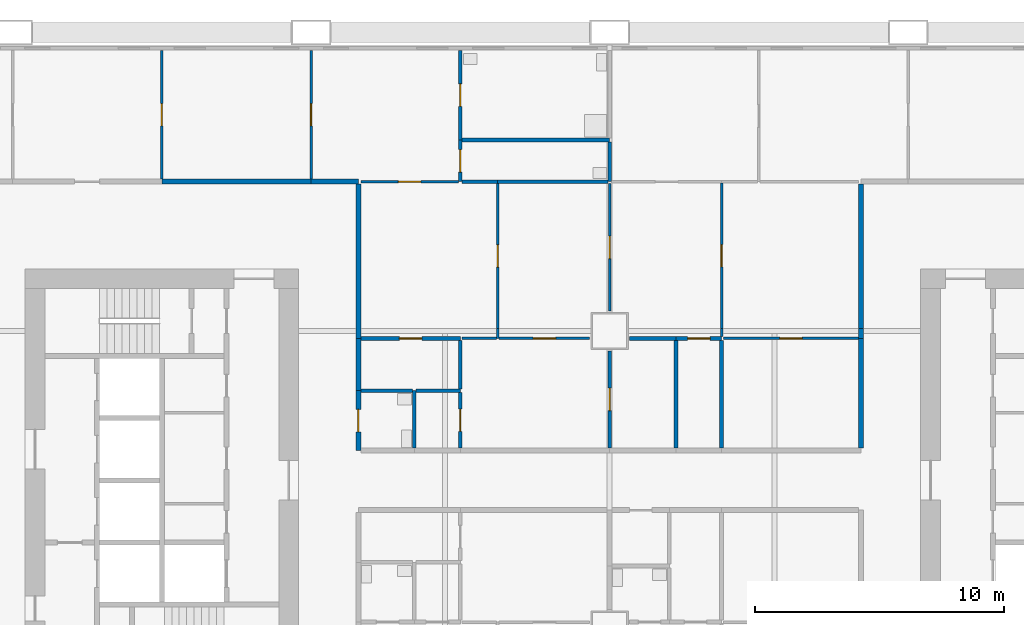
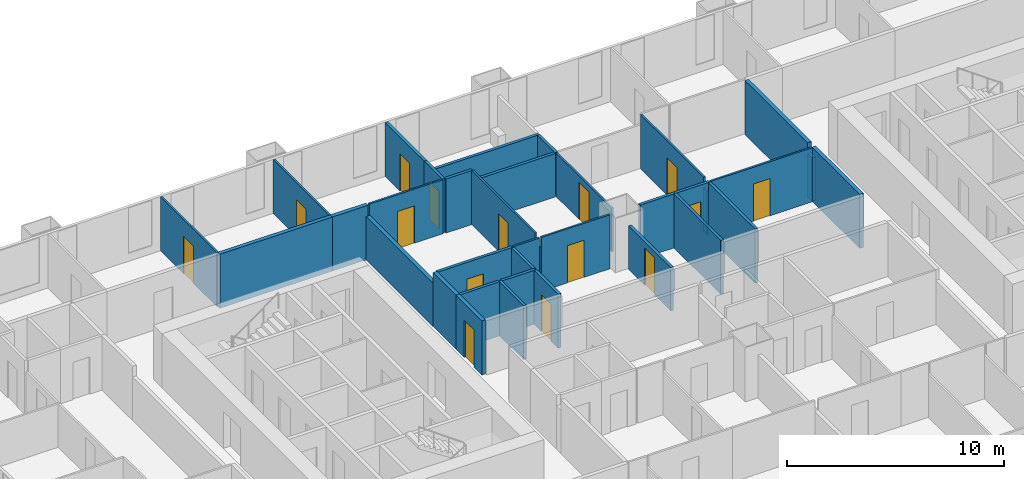
# One storey, part 9 of 14: 36 walls, 15 doors, 15 openings.
"""IFC4 building model written with IfcOpenShell, lengths in metres."""

from ifc_helpers import new_model, si_unit, direction, frame, frame_2d, origin, place, context, subcontext, project, spatial, rectangle, extrude, material, layer, layer_set, type_object, element, fill, save


model = new_model("IFC4")

# Units and contexts
model_context = context("Model", 3, precision=1e-05, world=origin(), true_north=direction((0.0, 1.0)))
body_context = subcontext(model_context, "Body", "Model", "MODEL_VIEW")
ifc_project = project(units=[si_unit("LENGTHUNIT", "METRE"), si_unit("AREAUNIT", "SQUARE_METRE"), si_unit("VOLUMEUNIT", "CUBIC_METRE"), si_unit("PLANEANGLEUNIT", "RADIAN"), si_unit("MASSUNIT", "GRAM", prefix="KILO")], contexts=[model_context])

# Site, building, storey
site_placement = place(None, origin())
site = spatial("IfcSite", under=ifc_project, at=site_placement, CompositionType="ELEMENT")
building_placement = place(site_placement, origin())
building = spatial("IfcBuilding", under=site, at=building_placement, Name="Kitamizu Gate Tower and Museum", CompositionType="ELEMENT")
storey_placement = place(building_placement, frame((0.0, 0.0, 64.5)))
storey = spatial("IfcBuildingStorey", under=building, at=storey_placement, Name="L15", CompositionType="ELEMENT", Elevation=64.5)

# Wall, opening, door
ifc_material_1 = material(Name="Gypsum board on galvanised stud")
ifc_layer_1 = layer(ifc_material_1, 0.10009765625)
ifc_layer_set_1 = layer_set([ifc_layer_1], Name="Gypsum board on galvanised stud")
wall_type_1 = type_object("IfcWallType", Name="Partition 100 NOT RATED", PredefinedType="PARTITIONING", material=ifc_layer_set_1)
wall_1_placement = place(storey_placement, frame((18.0, 42.10009765625, 0.0), z_axis=(0.0, 0.0, 1.0), x_axis=(0.0, 1.0, 0.0)))
wall_1 = element("IfcWall", 1, at=wall_1_placement, inside=storey, type_object=wall_type_1, Name="Partition L15-153", PredefinedType="PARTITIONING", context=body_context, shape_type="SweptSolid", body=[
    extrude(rectangle(XDim=5.179931640625, YDim=0.10009765625, at=frame_2d((2.58984375, 0.0))), origin(), (0.0, 0.0, 1.0), 3.050048828125),
])
opening_1_placement = place(wall_1_placement, frame((2.139892578125, 0.0, 0.0)))
opening_1 = element("IfcOpeningElement", 2, at=opening_1_placement, cuts=wall_1, Name="Opening L15-058", PredefinedType="OPENING", context=body_context, shape_type="SweptSolid", body=[
    extrude(rectangle(XDim=0.89990234375, YDim=2.10009765625, at=frame_2d((0.449951171875, 1.050048828125))), frame((0.0, 0.06005859375, 0.0), z_axis=(0.0, -1.0, 0.0), x_axis=(1.0, 0.0, 0.0)), (0.0, 0.0, 1.0), 0.1201171875),
])
ifc_material_2 = material(Name="Timber door set", Category="wood")
door_type_1 = type_object("IfcDoorType", Name="Room door 900", OperationType="NOTDEFINED", PredefinedType="DOOR", material=ifc_material_2)
door_1_placement = place(opening_1_placement, frame((0.89990234375, 0.0, 0.0), x_axis=(-1.0, 0.0, 0.0)))
door_1 = element("IfcDoor", 3, at=door_1_placement, inside=storey, type_object=door_type_1, Name="Door L15-058", OperationType="SINGLE_SWING_LEFT", OverallHeight=2.10009765625, OverallWidth=0.89990234375, PredefinedType="DOOR", context=body_context, shape_type="SweptSolid", body=[
    extrude(rectangle(XDim=0.89990234375, YDim=2.10009765625, at=frame_2d((0.449951171875, 1.050048828125))), frame((0.0, 0.02490234375, 0.0), z_axis=(0.0, -1.0, 0.0), x_axis=(1.0, 0.0, 0.0)), (0.0, 0.0, 1.0), 0.050048828125),
])
fill(opening_1, door_1)

wall_2_placement = place(storey_placement, frame((24.0, 42.10009765625, 0.0), z_axis=(0.0, 0.0, 1.0), x_axis=(0.0, 1.0, 0.0)))
wall_2 = element("IfcWall", 4, at=wall_2_placement, inside=storey, type_object=wall_type_1, Name="Partition L15-155", PredefinedType="PARTITIONING", context=body_context, shape_type="SweptSolid", body=[
    extrude(rectangle(XDim=5.179931640625, YDim=0.10009765625, at=frame_2d((2.58984375, 0.0))), origin(), (0.0, 0.0, 1.0), 3.050048828125),
])
opening_2_placement = place(wall_2_placement, frame((2.139892578125, 0.0, 0.0)))
opening_2 = element("IfcOpeningElement", 5, at=opening_2_placement, cuts=wall_2, Name="Opening L15-059", PredefinedType="OPENING", context=body_context, shape_type="SweptSolid", body=[
    extrude(rectangle(XDim=0.89990234375, YDim=2.10009765625, at=frame_2d((0.449951171875, 1.050048828125))), frame((0.0, 0.06005859375, 0.0), z_axis=(0.0, -1.0, 0.0), x_axis=(1.0, 0.0, 0.0)), (0.0, 0.0, 1.0), 0.1201171875),
])
door_2_placement = place(opening_2_placement, origin())
door_2 = element("IfcDoor", 6, at=door_2_placement, inside=storey, type_object=door_type_1, Name="Door L15-059", OperationType="SINGLE_SWING_LEFT", OverallHeight=2.10009765625, OverallWidth=0.89990234375, PredefinedType="DOOR", context=body_context, shape_type="SweptSolid", body=[
    extrude(rectangle(XDim=0.89990234375, YDim=2.10009765625, at=frame_2d((0.449951171875, 1.050048828125))), frame((0.0, 0.02490234375, 0.0), z_axis=(0.0, -1.0, 0.0), x_axis=(1.0, 0.0, 0.0)), (0.0, 0.0, 1.0), 0.050048828125),
])
fill(opening_2, door_2)

wall_3_placement = place(storey_placement, frame((26.0, 42.0, 0.0), z_axis=(0.0, 0.0, 1.0), x_axis=(1.0, 0.0, 0.0)))
wall_3 = element("IfcWall", 7, at=wall_3_placement, inside=storey, type_object=wall_type_1, Name="Partition L15-159", PredefinedType="PARTITIONING", context=body_context, shape_type="SweptSolid", body=[
    extrude(rectangle(XDim=3.925048828125, YDim=0.10009765625, at=frame_2d((1.96240234375, 0.0))), origin(), (0.0, 0.0, 1.0), 3.050048828125),
])
opening_3_placement = place(wall_3_placement, frame((1.512451171875, 0.0, 0.0)))
opening_3 = element("IfcOpeningElement", 8, at=opening_3_placement, cuts=wall_3, Name="Opening L15-062", PredefinedType="OPENING", context=body_context, shape_type="SweptSolid", body=[
    extrude(rectangle(XDim=0.89990234375, YDim=2.10009765625, at=frame_2d((0.449951171875, 1.050048828125))), frame((0.0, 0.06005859375, 0.0), z_axis=(0.0, -1.0, 0.0), x_axis=(1.0, 0.0, 0.0)), (0.0, 0.0, 1.0), 0.1201171875),
])
door_3_placement = place(opening_3_placement, origin())
door_3 = element("IfcDoor", 9, at=door_3_placement, inside=storey, type_object=door_type_1, Name="Door L15-062", OperationType="SINGLE_SWING_RIGHT", OverallHeight=2.10009765625, OverallWidth=0.89990234375, PredefinedType="DOOR", context=body_context, shape_type="SweptSolid", body=[
    extrude(rectangle(XDim=0.89990234375, YDim=2.10009765625, at=frame_2d((0.449951171875, 1.050048828125))), frame((0.0, 0.02490234375, 0.0), z_axis=(0.0, -1.0, 0.0), x_axis=(1.0, 0.0, 0.0)), (0.0, 0.0, 1.0), 0.050048828125),
])
fill(opening_3, door_3)

# Wall
wall_4_placement = place(storey_placement, frame((31.5, 35.699951171875, 0.0), z_axis=(0.0, 0.0, 1.0), x_axis=(0.0, 1.0, 0.0)))
element("IfcWall", 10, at=wall_4_placement, inside=storey, type_object=wall_type_1, Name="Partition L15-176", PredefinedType="PARTITIONING", context=body_context, shape_type="SweptSolid", body=[
    extrude(rectangle(XDim=0.400146484375, YDim=0.10009765625, at=frame_2d((0.2001953125, 0.0))), origin(), (0.0, 0.0, 1.0), 2.449951171875),
])

# Wall, opening, door
wall_5_placement = place(storey_placement, frame((31.5, 36.10009765625, 0.0), z_axis=(0.0, 0.0, 1.0), x_axis=(0.0, 1.0, 0.0)))
wall_5 = element("IfcWall", 11, at=wall_5_placement, inside=storey, type_object=wall_type_1, Name="Partition L15-177", PredefinedType="PARTITIONING", context=body_context, shape_type="SweptSolid", body=[
    extrude(rectangle(XDim=5.824951171875, YDim=0.10009765625, at=frame_2d((2.91259765625, 0.0))), origin(), (0.0, 0.0, 1.0), 3.050048828125),
])
opening_4_placement = place(wall_5_placement, frame((2.46240234375, 0.0, 0.0)))
opening_4 = element("IfcOpeningElement", 12, at=opening_4_placement, cuts=wall_5, Name="Opening L15-063", PredefinedType="OPENING", context=body_context, shape_type="SweptSolid", body=[
    extrude(rectangle(XDim=0.89990234375, YDim=2.10009765625, at=frame_2d((0.449951171875, 1.050048828125))), frame((0.0, 0.06005859375, 0.0), z_axis=(0.0, -1.0, 0.0), x_axis=(1.0, 0.0, 0.0)), (0.0, 0.0, 1.0), 0.1201171875),
])
door_4_placement = place(opening_4_placement, frame((0.89990234375, 0.0, 0.0), x_axis=(-1.0, 0.0, 0.0)))
door_4 = element("IfcDoor", 13, at=door_4_placement, inside=storey, type_object=door_type_1, Name="Door L15-063", OperationType="SINGLE_SWING_RIGHT", OverallHeight=2.10009765625, OverallWidth=0.89990234375, PredefinedType="DOOR", context=body_context, shape_type="SweptSolid", body=[
    extrude(rectangle(XDim=0.89990234375, YDim=2.10009765625, at=frame_2d((0.449951171875, 1.050048828125))), frame((0.0, 0.02490234375, 0.0), z_axis=(0.0, -1.0, 0.0), x_axis=(1.0, 0.0, 0.0)), (0.0, 0.0, 1.0), 0.050048828125),
])
fill(opening_4, door_4)

# Wall
wall_6_placement = place(storey_placement, frame((30.074951171875, 35.699951171875, 0.0), z_axis=(0.0, 0.0, 1.0), x_axis=(1.0, 0.0, 0.0)))
element("IfcWall", 14, at=wall_6_placement, inside=storey, type_object=wall_type_1, Name="Partition L15-179", PredefinedType="PARTITIONING", context=body_context, shape_type="SweptSolid", body=[
    extrude(rectangle(XDim=1.375, YDim=0.10009765625, at=frame_2d((0.6875, 0.0))), origin(), (0.0, 0.0, 1.0), 3.050048828125),
])

# Wall, opening, door
wall_7_placement = place(storey_placement, frame((31.550048828125, 35.699951171875, 0.0), z_axis=(0.0, 0.0, 1.0), x_axis=(1.0, 0.0, 0.0)))
wall_7 = element("IfcWall", 15, at=wall_7_placement, inside=storey, type_object=wall_type_1, Name="Partition L15-181", PredefinedType="PARTITIONING", context=body_context, shape_type="SweptSolid", body=[
    extrude(rectangle(XDim=3.64990234375, YDim=0.10009765625, at=frame_2d((1.824951171875, 0.0))), origin(), (0.0, 0.0, 1.0), 3.050048828125),
])
opening_5_placement = place(wall_7_placement, frame((1.375, 0.0, 0.0)))
opening_5 = element("IfcOpeningElement", 16, at=opening_5_placement, cuts=wall_7, Name="Opening L15-065", PredefinedType="OPENING", context=body_context, shape_type="SweptSolid", body=[
    extrude(rectangle(XDim=0.89990234375, YDim=2.10009765625, at=frame_2d((0.449951171875, 1.050048828125))), frame((0.0, 0.06005859375, 0.0), z_axis=(0.0, -1.0, 0.0), x_axis=(1.0, 0.0, 0.0)), (0.0, 0.0, 1.0), 0.1201171875),
])
door_5_placement = place(opening_5_placement, frame((0.89990234375, 0.0, 0.0), x_axis=(-1.0, 0.0, 0.0)))
door_5 = element("IfcDoor", 17, at=door_5_placement, inside=storey, type_object=door_type_1, Name="Door L15-065", OperationType="SINGLE_SWING_RIGHT", OverallHeight=2.10009765625, OverallWidth=0.89990234375, PredefinedType="DOOR", context=body_context, shape_type="SweptSolid", body=[
    extrude(rectangle(XDim=0.89990234375, YDim=2.10009765625, at=frame_2d((0.449951171875, 1.050048828125))), frame((0.0, 0.02490234375, 0.0), z_axis=(0.0, -1.0, 0.0), x_axis=(1.0, 0.0, 0.0)), (0.0, 0.0, 1.0), 0.050048828125),
])
fill(opening_5, door_5)

wall_8_placement = place(storey_placement, frame((36.0, 36.800048828125, 0.0), z_axis=(0.0, 0.0, 1.0), x_axis=(0.0, 1.0, 0.0)))
wall_8 = element("IfcWall", 18, at=wall_8_placement, inside=storey, type_object=wall_type_1, Name="Partition L15-182", PredefinedType="PARTITIONING", context=body_context, shape_type="SweptSolid", body=[
    extrude(rectangle(XDim=5.125, YDim=0.10009765625, at=frame_2d((2.5625, 0.0))), origin(), (0.0, 0.0, 1.0), 2.449951171875),
])
opening_6_placement = place(wall_8_placement, frame((2.112548828125, 0.0, 0.0)))
opening_6 = element("IfcOpeningElement", 19, at=opening_6_placement, cuts=wall_8, Name="Opening L15-066", PredefinedType="OPENING", context=body_context, shape_type="SweptSolid", body=[
    extrude(rectangle(XDim=0.89990234375, YDim=2.10009765625, at=frame_2d((0.449951171875, 1.050048828125))), frame((0.0, 0.06005859375, 0.0), z_axis=(0.0, -1.0, 0.0), x_axis=(1.0, 0.0, 0.0)), (0.0, 0.0, 1.0), 0.1201171875),
])
door_6_placement = place(opening_6_placement, frame((0.89990234375, 0.0, 0.0), x_axis=(-1.0, 0.0, 0.0)))
door_6 = element("IfcDoor", 20, at=door_6_placement, inside=storey, type_object=door_type_1, Name="Door L15-066", OperationType="SINGLE_SWING_RIGHT", OverallHeight=2.10009765625, OverallWidth=0.89990234375, PredefinedType="DOOR", context=body_context, shape_type="SweptSolid", body=[
    extrude(rectangle(XDim=0.89990234375, YDim=2.10009765625, at=frame_2d((0.449951171875, 1.050048828125))), frame((0.0, 0.02490234375, 0.0), z_axis=(0.0, -1.0, 0.0), x_axis=(1.0, 0.0, 0.0)), (0.0, 0.0, 1.0), 0.050048828125),
])
fill(opening_6, door_6)

# Wall
wall_9_placement = place(storey_placement, frame((40.5, 35.77490234375, 0.0), z_axis=(0.0, 0.0, 1.0), x_axis=(0.0, 1.0, 0.0)))
element("IfcWall", 21, at=wall_9_placement, inside=storey, type_object=wall_type_1, Name="Partition L15-194", PredefinedType="PARTITIONING", context=body_context, shape_type="SweptSolid", body=[
    extrude(rectangle(XDim=0.3251953125, YDim=0.10009765625, at=frame_2d((0.16259765625, 0.0))), origin(), (0.0, 0.0, 1.0), 2.449951171875),
])

# Wall, opening, door
wall_10_placement = place(storey_placement, frame((40.5, 36.10009765625, 0.0), z_axis=(0.0, 0.0, 1.0), x_axis=(0.0, 1.0, 0.0)))
wall_10 = element("IfcWall", 22, at=wall_10_placement, inside=storey, type_object=wall_type_1, Name="Partition L15-195", PredefinedType="PARTITIONING", context=body_context, shape_type="SweptSolid", body=[
    extrude(rectangle(XDim=5.849853515625, YDim=0.10009765625, at=frame_2d((2.9248046875, 0.0))), origin(), (0.0, 0.0, 1.0), 3.050048828125),
])
opening_7_placement = place(wall_10_placement, frame((2.47509765625, 0.0, 0.0)))
opening_7 = element("IfcOpeningElement", 23, at=opening_7_placement, cuts=wall_10, Name="Opening L15-067", PredefinedType="OPENING", context=body_context, shape_type="SweptSolid", body=[
    extrude(rectangle(XDim=0.89990234375, YDim=2.10009765625, at=frame_2d((0.449951171875, 1.050048828125))), frame((0.0, 0.06005859375, 0.0), z_axis=(0.0, -1.0, 0.0), x_axis=(1.0, 0.0, 0.0)), (0.0, 0.0, 1.0), 0.1201171875),
])
door_7_placement = place(opening_7_placement, origin())
door_7 = element("IfcDoor", 24, at=door_7_placement, inside=storey, type_object=door_type_1, Name="Door L15-067", OperationType="SINGLE_SWING_RIGHT", OverallHeight=2.10009765625, OverallWidth=0.89990234375, PredefinedType="DOOR", context=body_context, shape_type="SweptSolid", body=[
    extrude(rectangle(XDim=0.89990234375, YDim=2.10009765625, at=frame_2d((0.449951171875, 1.050048828125))), frame((0.0, 0.02490234375, 0.0), z_axis=(0.0, -1.0, 0.0), x_axis=(1.0, 0.0, 0.0)), (0.0, 0.0, 1.0), 0.050048828125),
])
fill(opening_7, door_7)

wall_11_placement = place(storey_placement, frame((40.574951171875, 35.699951171875, 0.0), z_axis=(0.0, 0.0, 1.0), x_axis=(1.0, 0.0, 0.0)))
wall_11 = element("IfcWall", 25, at=wall_11_placement, inside=storey, type_object=wall_type_1, Name="Partition L15-198", PredefinedType="PARTITIONING", context=body_context, shape_type="SweptSolid", body=[
    extrude(rectangle(XDim=5.425048828125, YDim=0.10009765625, at=frame_2d((2.71240234375, 0.0))), origin(), (0.0, 0.0, 1.0), 3.050048828125),
])
opening_8_placement = place(wall_11_placement, frame((2.262451171875, 0.0, 0.0)))
opening_8 = element("IfcOpeningElement", 26, at=opening_8_placement, cuts=wall_11, Name="Opening L15-070", PredefinedType="OPENING", context=body_context, shape_type="SweptSolid", body=[
    extrude(rectangle(XDim=0.89990234375, YDim=2.10009765625, at=frame_2d((0.449951171875, 1.050048828125))), frame((0.0, 0.06005859375, 0.0), z_axis=(0.0, -1.0, 0.0), x_axis=(1.0, 0.0, 0.0)), (0.0, 0.0, 1.0), 0.1201171875),
])
door_8_placement = place(opening_8_placement, frame((0.89990234375, 0.0, 0.0), x_axis=(-1.0, 0.0, 0.0)))
door_8 = element("IfcDoor", 27, at=door_8_placement, inside=storey, type_object=door_type_1, Name="Door L15-070", OperationType="SINGLE_SWING_RIGHT", OverallHeight=2.10009765625, OverallWidth=0.89990234375, PredefinedType="DOOR", context=body_context, shape_type="SweptSolid", body=[
    extrude(rectangle(XDim=0.89990234375, YDim=2.10009765625, at=frame_2d((0.449951171875, 1.050048828125))), frame((0.0, 0.02490234375, 0.0), z_axis=(0.0, -1.0, 0.0), x_axis=(1.0, 0.0, 0.0)), (0.0, 0.0, 1.0), 0.050048828125),
])
fill(opening_8, door_8)

ifc_material_3 = material(Name="Gypsum board on galvanised stud")
ifc_layer_2 = layer(ifc_material_3, 0.14990234375)
ifc_layer_set_2 = layer_set([ifc_layer_2], Name="Gypsum board on galvanised stud")
wall_type_2 = type_object("IfcWallType", Name="Partition 150", PredefinedType="PARTITIONING", material=ifc_layer_set_2)
wall_12_placement = place(storey_placement, frame((30.0, 43.679931640625, 0.0), z_axis=(0.0, 0.0, 1.0), x_axis=(0.0, 1.0, 0.0)))
wall_12 = element("IfcWall", 28, at=wall_12_placement, inside=storey, type_object=wall_type_2, Name="Partition L15-157", PredefinedType="PARTITIONING", context=body_context, shape_type="SweptSolid", body=[
    extrude(rectangle(XDim=3.60009765625, YDim=0.14990234375, at=frame_2d((1.800048828125, 0.0))), origin(), (0.0, 0.0, 1.0), 3.050048828125),
])
opening_9_placement = place(wall_12_placement, frame((1.35009765625, 0.0, 0.0)))
opening_9 = element("IfcOpeningElement", 29, at=opening_9_placement, cuts=wall_12, Name="Opening L15-060", PredefinedType="OPENING", context=body_context, shape_type="SweptSolid", body=[
    extrude(rectangle(XDim=0.89990234375, YDim=2.10009765625, at=frame_2d((0.449951171875, 1.050048828125))), frame((0.0, 0.0849609375, 0.0), z_axis=(0.0, -1.0, 0.0), x_axis=(1.0, 0.0, 0.0)), (0.0, 0.0, 1.0), 0.169921875),
])
ifc_material_4 = material(Name="Timber door set", Category="wood")
door_type_2 = type_object("IfcDoorType", Name="Bathroom door 900", OperationType="NOTDEFINED", PredefinedType="DOOR", material=ifc_material_4)
door_9_placement = place(opening_9_placement, frame((0.89990234375, 0.0, 0.0), x_axis=(-1.0, 0.0, 0.0)))
door_9 = element("IfcDoor", 30, at=door_9_placement, inside=storey, type_object=door_type_2, Name="Bathroom door L15-060", OperationType="SINGLE_SWING_LEFT", OverallHeight=2.10009765625, OverallWidth=0.89990234375, PredefinedType="DOOR", context=body_context, shape_type="SweptSolid", body=[
    extrude(rectangle(XDim=0.89990234375, YDim=2.10009765625, at=frame_2d((0.449951171875, 1.050048828125))), frame((0.0, 0.02490234375, 0.0), z_axis=(0.0, -1.0, 0.0), x_axis=(1.0, 0.0, 0.0)), (0.0, 0.0, 1.0), 0.050048828125),
])
fill(opening_9, door_9)

wall_13_placement = place(storey_placement, frame((30.0, 42.0, 0.0), z_axis=(0.0, 0.0, 1.0), x_axis=(0.0, 1.0, 0.0)))
wall_13 = element("IfcWall", 31, at=wall_13_placement, inside=storey, type_object=wall_type_2, Name="Partition L15-158", PredefinedType="PARTITIONING", context=body_context, shape_type="SweptSolid", body=[
    extrude(rectangle(XDim=1.679931640625, YDim=0.14990234375, at=frame_2d((0.83984375, 0.0))), origin(), (0.0, 0.0, 1.0), 3.050048828125),
])
opening_10_placement = place(wall_13_placement, frame((0.389892578125, 0.0, 0.0)))
opening_10 = element("IfcOpeningElement", 32, at=opening_10_placement, cuts=wall_13, Name="Opening L15-061", PredefinedType="OPENING", context=body_context, shape_type="SweptSolid", body=[
    extrude(rectangle(XDim=0.89990234375, YDim=2.10009765625, at=frame_2d((0.449951171875, 1.050048828125))), frame((0.0, 0.0849609375, 0.0), z_axis=(0.0, -1.0, 0.0), x_axis=(1.0, 0.0, 0.0)), (0.0, 0.0, 1.0), 0.169921875),
])
door_10_placement = place(opening_10_placement, frame((0.89990234375, 0.0, 0.0), x_axis=(-1.0, 0.0, 0.0)))
door_10 = element("IfcDoor", 33, at=door_10_placement, inside=storey, type_object=door_type_2, Name="Bathroom door L15-061", OperationType="SINGLE_SWING_RIGHT", OverallHeight=2.10009765625, OverallWidth=0.89990234375, PredefinedType="DOOR", context=body_context, shape_type="SweptSolid", body=[
    extrude(rectangle(XDim=0.89990234375, YDim=2.10009765625, at=frame_2d((0.449951171875, 1.050048828125))), frame((0.0, 0.02490234375, 0.0), z_axis=(0.0, -1.0, 0.0), x_axis=(1.0, 0.0, 0.0)), (0.0, 0.0, 1.0), 0.050048828125),
])
fill(opening_10, door_10)

# Walls
wall_14_placement = place(storey_placement, frame((30.074951171875, 43.679931640625, 0.0), z_axis=(0.0, 0.0, 1.0), x_axis=(1.0, 0.0, 0.0)))
element("IfcWall", 34, at=wall_14_placement, inside=storey, type_object=wall_type_2, Name="Partition L15-161", PredefinedType="PARTITIONING", context=body_context, shape_type="SweptSolid", body=[
    extrude(rectangle(XDim=5.925048828125, YDim=0.14990234375, at=frame_2d((2.96240234375, 0.0))), origin(), (0.0, 0.0, 1.0), 2.449951171875),
])
wall_15_placement = place(storey_placement, frame((36.0, 42.0, 0.0), z_axis=(0.0, 0.0, 1.0), x_axis=(0.0, 1.0, 0.0)))
element("IfcWall", 35, at=wall_15_placement, inside=storey, type_object=wall_type_2, Name="Partition L15-163", PredefinedType="PARTITIONING", context=body_context, shape_type="SweptSolid", body=[
    extrude(rectangle(XDim=1.60498046875, YDim=0.14990234375, at=frame_2d((0.802490234375, 0.0))), origin(), (0.0, 0.0, 1.0), 2.449951171875),
])
wall_16_placement = place(storey_placement, frame((30.074951171875, 42.0, 0.0), z_axis=(0.0, 0.0, 1.0), x_axis=(1.0, 0.0, 0.0)))
element("IfcWall", 36, at=wall_16_placement, inside=storey, type_object=wall_type_2, Name="Partition L15-164", PredefinedType="PARTITIONING", context=body_context, shape_type="SweptSolid", body=[
    extrude(rectangle(XDim=1.425048828125, YDim=0.14990234375, at=frame_2d((0.71240234375, 0.0))), origin(), (0.0, 0.0, 1.0), 3.050048828125),
])
wall_17_placement = place(storey_placement, frame((31.5, 42.0, 0.0), z_axis=(0.0, 0.0, 1.0), x_axis=(1.0, 0.0, 0.0)))
element("IfcWall", 37, at=wall_17_placement, inside=storey, type_object=wall_type_2, Name="Partition L15-165", PredefinedType="PARTITIONING", context=body_context, shape_type="SweptSolid", body=[
    extrude(rectangle(XDim=4.425048828125, YDim=0.14990234375, at=frame_2d((2.21240234375, 0.0))), origin(), (0.0, 0.0, 1.0), 2.449951171875),
])

# Wall, opening, door
wall_18_placement = place(storey_placement, frame((26.0, 35.699951171875, 0.0), z_axis=(0.0, 0.0, 1.0), x_axis=(1.0, 0.0, 0.0)))
wall_18 = element("IfcWall", 38, at=wall_18_placement, inside=storey, type_object=wall_type_2, Name="Partition L15-178", PredefinedType="PARTITIONING", context=body_context, shape_type="SweptSolid", body=[
    extrude(rectangle(XDim=4.0, YDim=0.14990234375, at=frame_2d((2.0, 0.0))), origin(), (0.0, 0.0, 1.0), 3.050048828125),
])
opening_11_placement = place(wall_18_placement, frame((1.550048828125, 0.0, 0.0)))
opening_11 = element("IfcOpeningElement", 39, at=opening_11_placement, cuts=wall_18, Name="Opening L15-064", PredefinedType="OPENING", context=body_context, shape_type="SweptSolid", body=[
    extrude(rectangle(XDim=0.89990234375, YDim=2.10009765625, at=frame_2d((0.449951171875, 1.050048828125))), frame((0.0, 0.0849609375, 0.0), z_axis=(0.0, -1.0, 0.0), x_axis=(1.0, 0.0, 0.0)), (0.0, 0.0, 1.0), 0.169921875),
])
door_11_placement = place(opening_11_placement, frame((0.89990234375, 0.0, 0.0), x_axis=(-1.0, 0.0, 0.0)))
door_11 = element("IfcDoor", 40, at=door_11_placement, inside=storey, type_object=door_type_2, Name="Bathroom door L15-064", OperationType="SINGLE_SWING_LEFT", OverallHeight=2.10009765625, OverallWidth=0.89990234375, PredefinedType="DOOR", context=body_context, shape_type="SweptSolid", body=[
    extrude(rectangle(XDim=0.89990234375, YDim=2.10009765625, at=frame_2d((0.449951171875, 1.050048828125))), frame((0.0, 0.02490234375, 0.0), z_axis=(0.0, -1.0, 0.0), x_axis=(1.0, 0.0, 0.0)), (0.0, 0.0, 1.0), 0.050048828125),
])
fill(opening_11, door_11)

# Walls
wall_19_placement = place(storey_placement, frame((28.14990234375, 31.300048828125, 0.0), z_axis=(0.0, 0.0, 1.0), x_axis=(0.0, 1.0, 0.0)))
element("IfcWall", 41, at=wall_19_placement, inside=storey, type_object=wall_type_2, Name="Partition L15-183", PredefinedType="PARTITIONING", context=body_context, shape_type="SweptSolid", body=[
    extrude(rectangle(XDim=2.300048828125, YDim=0.14990234375, at=frame_2d((1.14990234375, 0.0))), origin(), (0.0, 0.0, 1.0), 3.050048828125),
])
wall_20_placement = place(storey_placement, frame((28.074951171875, 33.60009765625, 0.0), z_axis=(0.0, 0.0, 1.0), x_axis=(-1.0, 0.0, 0.0)))
element("IfcWall", 42, at=wall_20_placement, inside=storey, type_object=wall_type_2, Name="Partition L15-184", PredefinedType="PARTITIONING", context=body_context, shape_type="SweptSolid", body=[
    extrude(rectangle(XDim=2.074951171875, YDim=0.14990234375, at=frame_2d((1.03759765625, 0.0))), origin(), (0.0, 0.0, 1.0), 3.050048828125),
])
wall_21_placement = place(storey_placement, frame((30.0, 33.60009765625, 0.0), z_axis=(0.0, 0.0, 1.0), x_axis=(-1.0, 0.0, 0.0)))
element("IfcWall", 43, at=wall_21_placement, inside=storey, type_object=wall_type_2, Name="Partition L15-187", PredefinedType="PARTITIONING", context=body_context, shape_type="SweptSolid", body=[
    extrude(rectangle(XDim=1.77490234375, YDim=0.14990234375, at=frame_2d((0.887451171875, 0.0))), origin(), (0.0, 0.0, 1.0), 3.050048828125),
])

# Wall, opening, door
wall_22_placement = place(storey_placement, frame((30.0, 31.300048828125, 0.0), z_axis=(0.0, 0.0, 1.0), x_axis=(0.0, 1.0, 0.0)))
wall_22 = element("IfcWall", 44, at=wall_22_placement, inside=storey, type_object=wall_type_2, Name="Partition L15-188", PredefinedType="PARTITIONING", context=body_context, shape_type="SweptSolid", body=[
    extrude(rectangle(XDim=2.224853515625, YDim=0.14990234375, at=frame_2d((1.1123046875, 0.0))), origin(), (0.0, 0.0, 1.0), 3.050048828125),
])
opening_12_placement = place(wall_22_placement, frame((0.66259765625, 0.0, 0.0)))
opening_12 = element("IfcOpeningElement", 45, at=opening_12_placement, cuts=wall_22, Name="Opening L15-075", PredefinedType="OPENING", context=body_context, shape_type="SweptSolid", body=[
    extrude(rectangle(XDim=0.89990234375, YDim=2.10009765625, at=frame_2d((0.449951171875, 1.050048828125))), frame((0.0, 0.0849609375, 0.0), z_axis=(0.0, -1.0, 0.0), x_axis=(1.0, 0.0, 0.0)), (0.0, 0.0, 1.0), 0.169921875),
])
door_12_placement = place(opening_12_placement, origin())
door_12 = element("IfcDoor", 46, at=door_12_placement, inside=storey, type_object=door_type_2, Name="Bathroom door L15-075", OperationType="SINGLE_SWING_RIGHT", OverallHeight=2.10009765625, OverallWidth=0.89990234375, PredefinedType="DOOR", context=body_context, shape_type="SweptSolid", body=[
    extrude(rectangle(XDim=0.89990234375, YDim=2.10009765625, at=frame_2d((0.449951171875, 1.050048828125))), frame((0.0, 0.02490234375, 0.0), z_axis=(0.0, -1.0, 0.0), x_axis=(1.0, 0.0, 0.0)), (0.0, 0.0, 1.0), 0.050048828125),
])
fill(opening_12, door_12)

# Wall
wall_23_placement = place(storey_placement, frame((30.0, 33.675048828125, 0.0), z_axis=(0.0, 0.0, 1.0), x_axis=(0.0, 1.0, 0.0)))
element("IfcWall", 47, at=wall_23_placement, inside=storey, type_object=wall_type_2, Name="Partition L15-190", PredefinedType="PARTITIONING", context=body_context, shape_type="SweptSolid", body=[
    extrude(rectangle(XDim=1.949951171875, YDim=0.14990234375, at=frame_2d((0.97509765625, 0.0))), origin(), (0.0, 0.0, 1.0), 3.050048828125),
])

# Wall, opening, door
wall_24_placement = place(storey_placement, frame((36.0, 31.300048828125, 0.0), z_axis=(0.0, 0.0, 1.0), x_axis=(0.0, 1.0, 0.0)))
wall_24 = element("IfcWall", 48, at=wall_24_placement, inside=storey, type_object=wall_type_2, Name="Partition L15-192", PredefinedType="PARTITIONING", context=body_context, shape_type="SweptSolid", body=[
    extrude(rectangle(XDim=3.89990234375, YDim=0.14990234375, at=frame_2d((1.949951171875, 0.0))), origin(), (0.0, 0.0, 1.0), 2.449951171875),
])
opening_13_placement = place(wall_24_placement, frame((1.5, 0.0, 0.0)))
opening_13 = element("IfcOpeningElement", 49, at=opening_13_placement, cuts=wall_24, Name="Opening L15-068", PredefinedType="OPENING", context=body_context, shape_type="SweptSolid", body=[
    extrude(rectangle(XDim=0.89990234375, YDim=2.10009765625, at=frame_2d((0.449951171875, 1.050048828125))), frame((0.0, 0.0849609375, 0.0), z_axis=(0.0, -1.0, 0.0), x_axis=(1.0, 0.0, 0.0)), (0.0, 0.0, 1.0), 0.169921875),
])
door_13_placement = place(opening_13_placement, frame((0.89990234375, 0.0, 0.0), x_axis=(-1.0, 0.0, 0.0)))
door_13 = element("IfcDoor", 50, at=door_13_placement, inside=storey, type_object=door_type_2, Name="Bathroom door L15-068", OperationType="SINGLE_SWING_RIGHT", OverallHeight=2.10009765625, OverallWidth=0.89990234375, PredefinedType="DOOR", context=body_context, shape_type="SweptSolid", body=[
    extrude(rectangle(XDim=0.89990234375, YDim=2.10009765625, at=frame_2d((0.449951171875, 1.050048828125))), frame((0.0, 0.02490234375, 0.0), z_axis=(0.0, -1.0, 0.0), x_axis=(1.0, 0.0, 0.0)), (0.0, 0.0, 1.0), 0.050048828125),
])
fill(opening_13, door_13)

# Wall
wall_25_placement = place(storey_placement, frame((36.800048828125, 35.699951171875, 0.0), z_axis=(0.0, 0.0, 1.0), x_axis=(1.0, 0.0, 0.0)))
element("IfcWall", 51, at=wall_25_placement, inside=storey, type_object=wall_type_2, Name="Partition L15-196", PredefinedType="PARTITIONING", context=body_context, shape_type="SweptSolid", body=[
    extrude(rectangle(XDim=1.866943359375, YDim=0.14990234375, at=frame_2d((0.93359375, 0.0))), origin(), (0.0, 0.0, 1.0), 3.050048828125),
])

# Wall, opening, door
wall_26_placement = place(storey_placement, frame((38.6669921875, 35.699951171875, 0.0), z_axis=(0.0, 0.0, 1.0), x_axis=(1.0, 0.0, 0.0)))
wall_26 = element("IfcWall", 52, at=wall_26_placement, inside=storey, type_object=wall_type_2, Name="Partition L15-197", PredefinedType="PARTITIONING", context=body_context, shape_type="SweptSolid", body=[
    extrude(rectangle(XDim=1.8330078125, YDim=0.14990234375, at=frame_2d((0.91650390625, 0.0))), origin(), (0.0, 0.0, 1.0), 3.050048828125),
])
opening_14_placement = place(wall_26_placement, frame((0.466552734375, 0.0, 0.0)))
opening_14 = element("IfcOpeningElement", 53, at=opening_14_placement, cuts=wall_26, Name="Opening L15-069", PredefinedType="OPENING", context=body_context, shape_type="SweptSolid", body=[
    extrude(rectangle(XDim=0.89990234375, YDim=2.10009765625, at=frame_2d((0.449951171875, 1.050048828125))), frame((0.0, 0.0849609375, 0.0), z_axis=(0.0, -1.0, 0.0), x_axis=(1.0, 0.0, 0.0)), (0.0, 0.0, 1.0), 0.169921875),
])
door_14_placement = place(opening_14_placement, frame((0.89990234375, 0.0, 0.0), x_axis=(-1.0, 0.0, 0.0)))
door_14 = element("IfcDoor", 54, at=door_14_placement, inside=storey, type_object=door_type_2, Name="Bathroom door L15-069", OperationType="SINGLE_SWING_LEFT", OverallHeight=2.10009765625, OverallWidth=0.89990234375, PredefinedType="DOOR", context=body_context, shape_type="SweptSolid", body=[
    extrude(rectangle(XDim=0.89990234375, YDim=2.10009765625, at=frame_2d((0.449951171875, 1.050048828125))), frame((0.0, 0.02490234375, 0.0), z_axis=(0.0, -1.0, 0.0), x_axis=(1.0, 0.0, 0.0)), (0.0, 0.0, 1.0), 0.050048828125),
])
fill(opening_14, door_14)

# Walls
for number, where, z_axis, x_axis, name in (
    (55, (38.6669921875, 31.300048828125, 0.0), (0.0, 0.0, 1.0), (0.0, 1.0, 0.0), "Partition L15-201"),
    (56, (40.5, 31.300048828125, 0.0), (0.0, 0.0, 1.0), (0.0, 1.0, 0.0), "Partition L15-203"),
):
    element("IfcWall", number, at=place(storey_placement, frame(where, z_axis=z_axis, x_axis=x_axis)), inside=storey, type_object=wall_type_2, Name=name, PredefinedType="PARTITIONING", context=body_context, shape_type="SweptSolid", body=[
        extrude(rectangle(XDim=4.324951171875, YDim=0.14990234375, at=frame_2d((2.16259765625, 0.0))), origin(), (0.0, 0.0, 1.0), 3.050048828125),
    ])
ifc_material_5 = material(Name="Gypsum board on galvanised stud")
ifc_layer_3 = layer(ifc_material_5, 0.199951171875)
ifc_layer_set_3 = layer_set([ifc_layer_3], Name="Gypsum board on galvanised stud")
wall_type_3 = type_object("IfcWallType", Name="Partition 200", PredefinedType="PARTITIONING", material=ifc_layer_set_3)
wall_27_placement = place(storey_placement, frame((18.0, 42.0, 0.0), z_axis=(0.0, 0.0, 1.0), x_axis=(1.0, 0.0, 0.0)))
element("IfcWall", 57, at=wall_27_placement, inside=storey, type_object=wall_type_3, Name="Partition L15-156", PredefinedType="PARTITIONING", context=body_context, shape_type="SweptSolid", body=[
    extrude(rectangle(XDim=6.0, YDim=0.199951171875, at=frame_2d((3.0, 0.0))), origin(), (0.0, 0.0, 1.0), 3.050048828125),
])
wall_28_placement = place(storey_placement, frame((24.0, 42.0, 0.0), z_axis=(0.0, 0.0, 1.0), x_axis=(1.0, 0.0, 0.0)))
element("IfcWall", 58, at=wall_28_placement, inside=storey, type_object=wall_type_3, Name="Partition L15-160", PredefinedType="PARTITIONING", context=body_context, shape_type="SweptSolid", body=[
    extrude(rectangle(XDim=1.89990234375, YDim=0.199951171875, at=frame_2d((0.949951171875, 0.0))), origin(), (0.0, 0.0, 1.0), 3.050048828125),
])
wall_29_placement = place(storey_placement, frame((25.89990234375, 41.89990234375, 0.0), z_axis=(0.0, 0.0, 1.0), x_axis=(0.0, -1.0, 0.0)))
element("IfcWall", 59, at=wall_29_placement, inside=storey, type_object=wall_type_3, Name="Partition L15-180", PredefinedType="PARTITIONING", context=body_context, shape_type="SweptSolid", body=[
    extrude(rectangle(XDim=6.199951171875, YDim=0.199951171875, at=frame_2d((3.10009765625, 0.0))), origin(), (0.0, 0.0, 1.0), 2.449951171875),
])

# Wall, opening, door
wall_30_placement = place(storey_placement, frame((25.89990234375, 33.60009765625, 0.0), z_axis=(0.0, 0.0, 1.0), x_axis=(0.0, -1.0, 0.0)))
wall_30 = element("IfcWall", 60, at=wall_30_placement, inside=storey, type_object=wall_type_3, Name="Partition L15-185", PredefinedType="PARTITIONING", context=body_context, shape_type="SweptSolid", body=[
    extrude(rectangle(XDim=2.400146484375, YDim=0.199951171875, at=frame_2d((1.2001953125, 0.0))), origin(), (0.0, 0.0, 1.0), 3.050048828125),
])
opening_15_placement = place(wall_30_placement, frame((0.75, 0.0, 0.0)))
opening_15 = element("IfcOpeningElement", 61, at=opening_15_placement, cuts=wall_30, Name="Opening L15-076", PredefinedType="OPENING", context=body_context, shape_type="SweptSolid", body=[
    extrude(rectangle(XDim=0.89990234375, YDim=2.10009765625, at=frame_2d((0.449951171875, 1.050048828125))), frame((0.0, 0.10986328125, 0.0), z_axis=(0.0, -1.0, 0.0), x_axis=(1.0, 0.0, 0.0)), (0.0, 0.0, 1.0), 0.219970703125),
])
ifc_material_6 = material(Name="Timber door set", Category="wood")
door_type_3 = type_object("IfcDoorType", Name="Store door 900", OperationType="NOTDEFINED", PredefinedType="DOOR", material=ifc_material_6)
door_15_placement = place(opening_15_placement, origin())
door_15 = element("IfcDoor", 62, at=door_15_placement, inside=storey, type_object=door_type_3, Name="Service entrance door L15-076", OperationType="SINGLE_SWING_LEFT", OverallHeight=2.10009765625, OverallWidth=0.89990234375, PredefinedType="DOOR", context=body_context, shape_type="SweptSolid", body=[
    extrude(rectangle(XDim=0.89990234375, YDim=2.10009765625, at=frame_2d((0.449951171875, 1.050048828125))), frame((0.0, 0.02490234375, 0.0), z_axis=(0.0, -1.0, 0.0), x_axis=(1.0, 0.0, 0.0)), (0.0, 0.0, 1.0), 0.050048828125),
])
fill(opening_15, door_15)

# Walls
wall_31_placement = place(storey_placement, frame((25.89990234375, 35.699951171875, 0.0), z_axis=(0.0, 0.0, 1.0), x_axis=(0.0, -1.0, 0.0)))
element("IfcWall", 63, at=wall_31_placement, inside=storey, type_object=wall_type_3, Name="Partition L15-191", PredefinedType="PARTITIONING", context=body_context, shape_type="SweptSolid", body=[
    extrude(rectangle(XDim=2.099853515625, YDim=0.199951171875, at=frame_2d((1.0498046875, 0.0))), origin(), (0.0, 0.0, 1.0), 3.050048828125),
])
wall_32_placement = place(storey_placement, frame((46.10009765625, 35.699951171875, 0.0), z_axis=(0.0, 0.0, 1.0), x_axis=(0.0, 1.0, 0.0)))
element("IfcWall", 64, at=wall_32_placement, inside=storey, type_object=wall_type_3, Name="Partition L15-199", PredefinedType="PARTITIONING", context=body_context, shape_type="SweptSolid", body=[
    extrude(rectangle(XDim=0.400146484375, YDim=0.199951171875, at=frame_2d((0.2001953125, 0.0))), origin(), (0.0, 0.0, 1.0), 2.449951171875),
])
wall_33_placement = place(storey_placement, frame((46.10009765625, 36.10009765625, 0.0), z_axis=(0.0, 0.0, 1.0), x_axis=(0.0, 1.0, 0.0)))
element("IfcWall", 65, at=wall_33_placement, inside=storey, type_object=wall_type_3, Name="Partition L15-200", PredefinedType="PARTITIONING", context=body_context, shape_type="SweptSolid", body=[
    extrude(rectangle(XDim=5.7998046875, YDim=0.199951171875, at=frame_2d((2.89990234375, 0.0))), origin(), (0.0, 0.0, 1.0), 3.050048828125),
])
wall_34_placement = place(storey_placement, frame((46.10009765625, 31.300048828125, 0.0), z_axis=(0.0, 0.0, 1.0), x_axis=(0.0, 1.0, 0.0)))
element("IfcWall", 66, at=wall_34_placement, inside=storey, type_object=wall_type_3, Name="Partition L15-206", PredefinedType="PARTITIONING", context=body_context, shape_type="SweptSolid", body=[
    extrude(rectangle(XDim=4.39990234375, YDim=0.199951171875, at=frame_2d((2.199951171875, 0.0))), origin(), (0.0, 0.0, 1.0), 3.050048828125),
])

save(model, "model.ifc")
